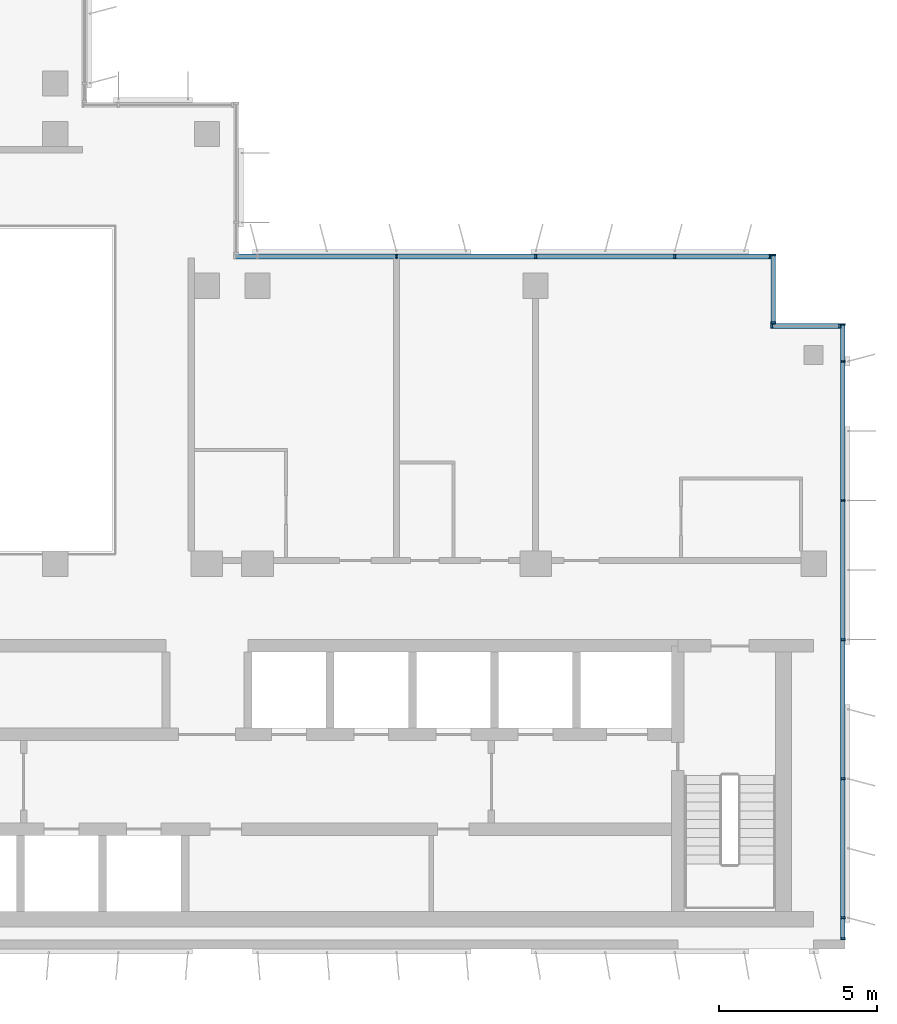
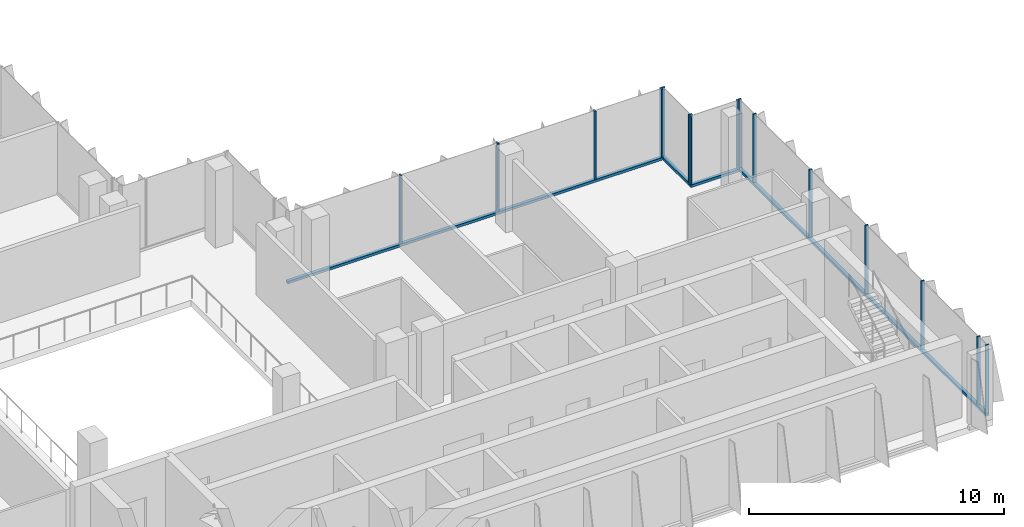
# One storey, part 3 of 15: 19 members, 4 elements without a shape of their own.
"""IFC4 building model written with IfcOpenShell, lengths in metres."""

from ifc_helpers import new_model, si_unit, direction, frame, origin, origin_2d, place, context, subcontext, project, spatial, rectangle, extrude, source, transform, mapped, material, material_profile, profile_set, type_object, element, aggregate, save


model = new_model("IFC4")

# Units and contexts
model_context = context("Model", 3, precision=1e-05, world=origin(), true_north=direction((0.0, 1.0)))
body_context = subcontext(model_context, "Body", "Model", "MODEL_VIEW")
ifc_project = project(units=[si_unit("LENGTHUNIT", "METRE"), si_unit("AREAUNIT", "SQUARE_METRE"), si_unit("VOLUMEUNIT", "CUBIC_METRE"), si_unit("PLANEANGLEUNIT", "RADIAN"), si_unit("MASSUNIT", "GRAM", prefix="KILO")], contexts=[model_context])

# Site, building, storey
site_placement = place(None, origin())
site = spatial("IfcSite", under=ifc_project, at=site_placement, CompositionType="ELEMENT")
building_placement = place(site_placement, origin())
building = spatial("IfcBuilding", under=site, at=building_placement, Name="Kemantara Hotel Tower", CompositionType="ELEMENT")
storey_placement = place(building_placement, frame((0.0, 0.0, 261.10009765625)))
storey = spatial("IfcBuildingStorey", under=building, at=storey_placement, Name="L65", CompositionType="ELEMENT", Elevation=261.10009765625)

# Curtain wall, member
ifc_material_1 = material(Name="Low-E tinted double insulated glass 36 mm", Category="glass")
curtain_wall_type = type_object("IfcCurtainWallType", Name="TOWER CURTAIN WALL, FRONT FACES", PredefinedType="USERDEFINED", material=ifc_material_1)
curtain_wall_1_placement = place(storey_placement, origin())
curtain_wall_1 = element("IfcCurtainWall", 1, at=curtain_wall_1_placement, inside=storey, type_object=curtain_wall_type, Name="CW4 L65 T4-R09-1", ObjectType="TOWER CURTAIN WALL, FRONT FACES", PredefinedType="USERDEFINED")
ifc_material_2 = material(Name="Aluminium 6063-T6 bronze anodised", Category="aluminium")
ifc_material_profile_1 = material_profile(ifc_material_2, rectangle(XDim=0.14990234375, YDim=0.1201171875, at=origin_2d()), Name="TOWER CURTAIN WALL, FRONT FACES TRANSOM")
ifc_profile_set_1 = profile_set([ifc_material_profile_1], Name="Aluminium 6063-T6 bronze anodised")
member_type_1 = type_object("IfcMemberType", Name="TOWER CURTAIN WALL, FRONT FACES TRANSOM", PredefinedType="USERDEFINED", material=ifc_profile_set_1)
member_1_placement = place(storey_placement, frame((45.925048828125, 0.300048828125, 0.059814453125), z_axis=(0.0, 1.0, 0.0), x_axis=(-1.0, 0.0, 0.0)))
member_1 = element("IfcMember", 2, at=member_1_placement, type_object=member_type_1, Name="CW4 sill transom T4-R09-1", ObjectType="TRANSOM", PredefinedType="USERDEFINED", context=body_context, shape_type="SweptSolid", body=[
    extrude(rectangle(XDim=0.14990234375, YDim=0.1201171875, at=origin_2d()), origin(), (0.0, 0.0, 1.0), 19.5),
])

curtain_wall_2_placement = place(storey_placement, origin())
curtain_wall_2 = element("IfcCurtainWall", 3, at=curtain_wall_2_placement, inside=storey, type_object=curtain_wall_type, Name="CW4 L65 T4-R12-1", ObjectType="TOWER CURTAIN WALL, FRONT FACES", PredefinedType="USERDEFINED")
member_2_placement = place(storey_placement, frame((43.64990234375, 21.925048828125, 0.059814453125), z_axis=(-1.0, 0.0, 0.0), x_axis=(0.0, -1.0, 0.0)))
member_2 = element("IfcMember", 4, at=member_2_placement, type_object=member_type_1, Name="CW4 sill transom T4-R12-1", ObjectType="TRANSOM", PredefinedType="USERDEFINED", context=body_context, shape_type="SweptSolid", body=[
    extrude(rectangle(XDim=0.14990234375, YDim=0.1201171875, at=origin_2d()), origin(), (0.0, 0.0, 1.0), 17.0),
])

curtain_wall_3_placement = place(storey_placement, origin())
curtain_wall_3 = element("IfcCurtainWall", 5, at=curtain_wall_3_placement, inside=storey, type_object=curtain_wall_type, Name="CW4 L65 T4-R10-1", ObjectType="TOWER CURTAIN WALL, FRONT FACES", PredefinedType="USERDEFINED")
member_3_placement = place(storey_placement, frame((45.85009765625, 19.72509765625, 0.059814453125), z_axis=(-1.0, 0.0, 0.0), x_axis=(0.0, -1.0, 0.0)))
member_3 = element("IfcMember", 6, at=member_3_placement, type_object=member_type_1, Name="CW4 sill transom T4-R10-1", ObjectType="TRANSOM", PredefinedType="USERDEFINED", context=body_context, shape_type="SweptSolid", body=[
    extrude(rectangle(XDim=0.14990234375, YDim=0.1201171875, at=origin_2d()), origin(), (0.0, 0.0, 1.0), 2.2001953125),
])

curtain_wall_4_placement = place(storey_placement, origin())
curtain_wall_4 = element("IfcCurtainWall", 7, at=curtain_wall_4_placement, inside=storey, type_object=curtain_wall_type, Name="CW4 L65 T4-R11-1", ObjectType="TOWER CURTAIN WALL, FRONT FACES", PredefinedType="USERDEFINED")
member_4_placement = place(storey_placement, frame((43.72509765625, 19.800048828125, 0.059814453125), z_axis=(0.0, 1.0, 0.0), x_axis=(-1.0, 0.0, 0.0)))
member_4 = element("IfcMember", 8, at=member_4_placement, type_object=member_type_1, Name="CW4 sill transom T4-R11-1", ObjectType="TRANSOM", PredefinedType="USERDEFINED", context=body_context, shape_type="SweptSolid", body=[
    extrude(rectangle(XDim=0.14990234375, YDim=0.1201171875, at=origin_2d()), origin(), (0.0, 0.0, 1.0), 2.199951171875),
])

# Member
ifc_material_profile_2 = material_profile(ifc_material_2, rectangle(XDim=0.14990234375, YDim=0.06005859375, at=origin_2d()), Name="TOWER CURTAIN WALL, FRONT FACES MULLION")
ifc_profile_set_2 = profile_set([ifc_material_profile_2], Name="Aluminium 6063-T6 bronze anodised")
member_type_2 = type_object("IfcMemberType", Name="TOWER CURTAIN WALL, FRONT FACES MULLION", PredefinedType="MULLION", material=ifc_profile_set_2)
shared_shape = source(origin(), body_context, "Body", "SweptSolid", [
    extrude(rectangle(XDim=0.14990234375, YDim=0.06005859375, at=origin_2d()), origin(), (0.0, 0.0, 1.0), 3.280029296875),
])
member_5_placement = place(storey_placement, frame((45.925048828125, 0.330078125, 0.119873046875), z_axis=(0.0, 0.0, 1.0), x_axis=(-1.0, 0.0, 0.0)))
member_5 = element("IfcMember", 9, at=member_5_placement, type_object=member_type_2, Name="CW4 mullion T4-R09-1.1", PredefinedType="MULLION", context=body_context, shape_type="MappedRepresentation", body=[
    mapped(shared_shape, transform((0.0, 0.0, 0.0))),
])

member_6_placement = place(storey_placement, frame((45.925048828125, 1.0, 0.119873046875), z_axis=(0.0, 0.0, 1.0), x_axis=(-1.0, 0.0, 0.0)))
member_6 = element("IfcMember", 10, at=member_6_placement, type_object=member_type_2, Name="CW4 mullion T4-R09-1.2", PredefinedType="MULLION", context=body_context, shape_type="MappedRepresentation", body=[
    mapped(shared_shape, transform((0.0, 0.0, 0.0))),
])

member_7_placement = place(storey_placement, frame((45.925048828125, 5.39990234375, 0.119873046875), z_axis=(0.0, 0.0, 1.0), x_axis=(-1.0, 0.0, 0.0)))
member_7 = element("IfcMember", 11, at=member_7_placement, type_object=member_type_2, Name="CW4 mullion T4-R09-1.3", PredefinedType="MULLION", context=body_context, shape_type="MappedRepresentation", body=[
    mapped(shared_shape, transform((0.0, 0.0, 0.0))),
])

member_8_placement = place(storey_placement, frame((45.925048828125, 9.800048828125, 0.119873046875), z_axis=(0.0, 0.0, 1.0), x_axis=(-1.0, 0.0, 0.0)))
member_8 = element("IfcMember", 12, at=member_8_placement, type_object=member_type_2, Name="CW4 mullion T4-R09-1.4", PredefinedType="MULLION", context=body_context, shape_type="MappedRepresentation", body=[
    mapped(shared_shape, transform((0.0, 0.0, 0.0))),
])

member_9_placement = place(storey_placement, frame((45.925048828125, 14.199951171875, 0.119873046875), z_axis=(0.0, 0.0, 1.0), x_axis=(-1.0, 0.0, 0.0)))
member_9 = element("IfcMember", 13, at=member_9_placement, type_object=member_type_2, Name="CW4 mullion T4-R09-1.5", PredefinedType="MULLION", context=body_context, shape_type="MappedRepresentation", body=[
    mapped(shared_shape, transform((0.0, 0.0, 0.0))),
])

member_10_placement = place(storey_placement, frame((45.925048828125, 18.60009765625, 0.119873046875), z_axis=(0.0, 0.0, 1.0), x_axis=(-1.0, 0.0, 0.0)))
member_10 = element("IfcMember", 14, at=member_10_placement, type_object=member_type_2, Name="CW4 mullion T4-R09-1.6", PredefinedType="MULLION", context=body_context, shape_type="MappedRepresentation", body=[
    mapped(shared_shape, transform((0.0, 0.0, 0.0))),
])

member_11_placement = place(storey_placement, frame((45.925048828125, 19.77001953125, 0.119873046875), z_axis=(0.0, 0.0, 1.0), x_axis=(-1.0, 0.0, 0.0)))
member_11 = element("IfcMember", 15, at=member_11_placement, type_object=member_type_2, Name="CW4 mullion T4-R09-1.7", PredefinedType="MULLION", context=body_context, shape_type="MappedRepresentation", body=[
    mapped(shared_shape, transform((0.0, 0.0, 0.0))),
])

aggregate(curtain_wall_1, [member_1, member_5, member_6, member_7, member_8, member_9, member_10, member_11])

member_12_placement = place(storey_placement, frame((43.6201171875, 21.925048828125, 0.119873046875), z_axis=(0.0, 0.0, 1.0), x_axis=(0.0, -1.0, 0.0)))
member_12 = element("IfcMember", 16, at=member_12_placement, type_object=member_type_2, Name="CW4 mullion T4-R12-1.1", PredefinedType="MULLION", context=body_context, shape_type="MappedRepresentation", body=[
    mapped(shared_shape, transform((0.0, 0.0, 0.0))),
])

member_13_placement = place(storey_placement, frame((40.60009765625, 21.925048828125, 0.119873046875), z_axis=(0.0, 0.0, 1.0), x_axis=(0.0, -1.0, 0.0)))
member_13 = element("IfcMember", 17, at=member_13_placement, type_object=member_type_2, Name="CW4 mullion T4-R12-1.2", PredefinedType="MULLION", context=body_context, shape_type="MappedRepresentation", body=[
    mapped(shared_shape, transform((0.0, 0.0, 0.0))),
])

member_14_placement = place(storey_placement, frame((36.199951171875, 21.925048828125, 0.119873046875), z_axis=(0.0, 0.0, 1.0), x_axis=(0.0, -1.0, 0.0)))
member_14 = element("IfcMember", 18, at=member_14_placement, type_object=member_type_2, Name="CW4 mullion T4-R12-1.3", PredefinedType="MULLION", context=body_context, shape_type="MappedRepresentation", body=[
    mapped(shared_shape, transform((0.0, 0.0, 0.0))),
])

member_15_placement = place(storey_placement, frame((31.800048828125, 21.925048828125, 0.119873046875), z_axis=(0.0, 0.0, 1.0), x_axis=(0.0, -1.0, 0.0)))
member_15 = element("IfcMember", 19, at=member_15_placement, type_object=member_type_2, Name="CW4 mullion T4-R12-1.4", PredefinedType="MULLION", context=body_context, shape_type="MappedRepresentation", body=[
    mapped(shared_shape, transform((0.0, 0.0, 0.0))),
])

aggregate(curtain_wall_2, [member_2, member_12, member_13, member_14, member_15])

member_16_placement = place(storey_placement, frame((45.820068359375, 19.72509765625, 0.119873046875), z_axis=(0.0, 0.0, 1.0), x_axis=(0.0, -1.0, 0.0)))
member_16 = element("IfcMember", 20, at=member_16_placement, type_object=member_type_2, Name="CW4 mullion T4-R10-1.1", PredefinedType="MULLION", context=body_context, shape_type="MappedRepresentation", body=[
    mapped(shared_shape, transform((0.0, 0.0, 0.0))),
])

member_17_placement = place(storey_placement, frame((43.679931640625, 19.72509765625, 0.119873046875), z_axis=(0.0, 0.0, 1.0), x_axis=(0.0, -1.0, 0.0)))
member_17 = element("IfcMember", 21, at=member_17_placement, type_object=member_type_2, Name="CW4 mullion T4-R10-1.2", PredefinedType="MULLION", context=body_context, shape_type="MappedRepresentation", body=[
    mapped(shared_shape, transform((0.0, 0.0, 0.0))),
])

aggregate(curtain_wall_3, [member_3, member_16, member_17])

member_18_placement = place(storey_placement, frame((43.72509765625, 19.830078125, 0.119873046875), z_axis=(0.0, 0.0, 1.0), x_axis=(-1.0, 0.0, 0.0)))
member_18 = element("IfcMember", 22, at=member_18_placement, type_object=member_type_2, Name="CW4 mullion T4-R11-1.1", PredefinedType="MULLION", context=body_context, shape_type="MappedRepresentation", body=[
    mapped(shared_shape, transform((0.0, 0.0, 0.0))),
])

member_19_placement = place(storey_placement, frame((43.72509765625, 21.969970703125, 0.119873046875), z_axis=(0.0, 0.0, 1.0), x_axis=(-1.0, 0.0, 0.0)))
member_19 = element("IfcMember", 23, at=member_19_placement, type_object=member_type_2, Name="CW4 mullion T4-R11-1.2", PredefinedType="MULLION", context=body_context, shape_type="MappedRepresentation", body=[
    mapped(shared_shape, transform((0.0, 0.0, 0.0))),
])

aggregate(curtain_wall_4, [member_4, member_18, member_19])

save(model, "model.ifc")
